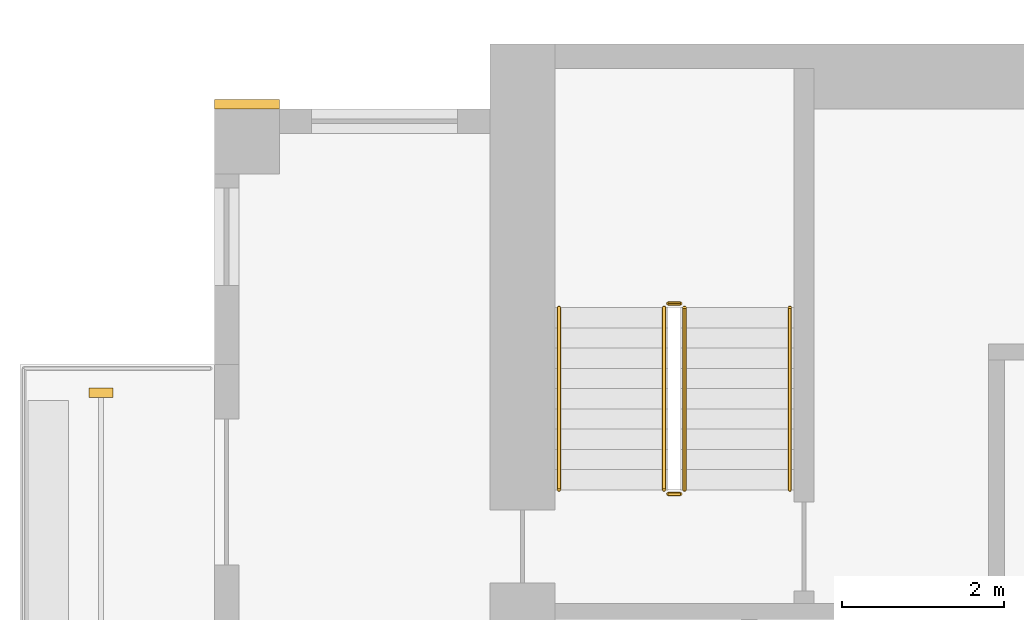
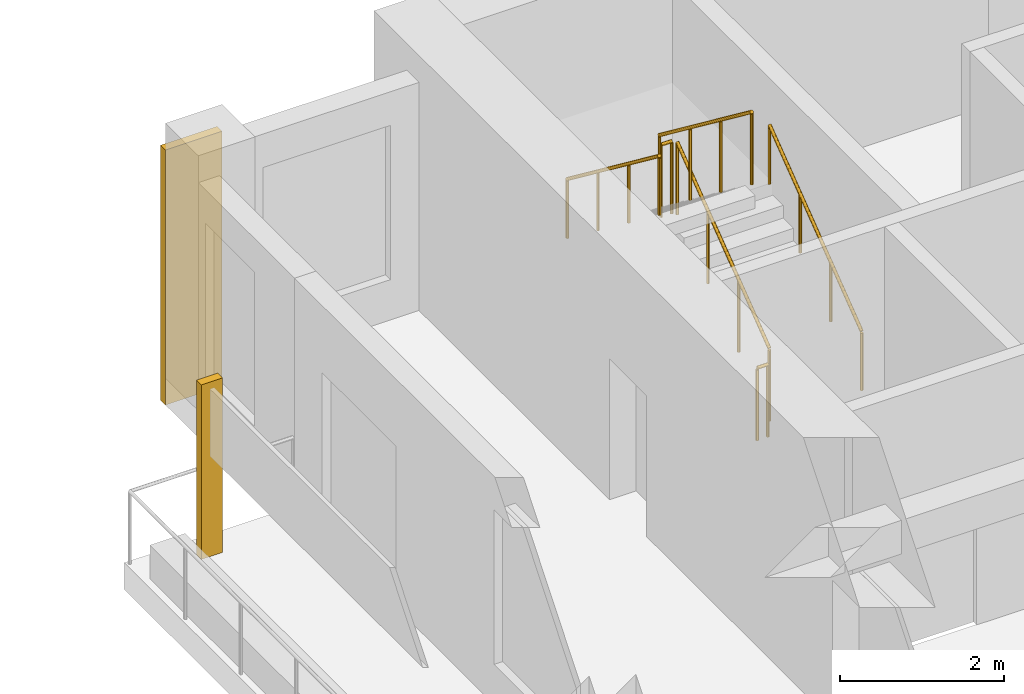
# One storey, part 10 of 12: 6 railings, 2 coverings.
"""IFC4 building model written with IfcOpenShell, lengths in metres."""

from ifc_helpers import new_model, si_unit, direction, frame, origin, origin_2d, place, context, subcontext, project, spatial, rectangle, circle, extrude, source, transform, mapped, material, type_object, element, save


model = new_model("IFC4")

# Units and contexts
model_context = context("Model", 3, precision=1e-05, world=origin(), true_north=direction((0.0, 1.0)))
body_context = subcontext(model_context, "Body", "Model", "MODEL_VIEW")
ifc_project = project(units=[si_unit("LENGTHUNIT", "METRE"), si_unit("AREAUNIT", "SQUARE_METRE"), si_unit("VOLUMEUNIT", "CUBIC_METRE"), si_unit("PLANEANGLEUNIT", "RADIAN"), si_unit("MASSUNIT", "GRAM", prefix="KILO")], contexts=[model_context])

# Site, building, storey
site_placement = place(None, origin())
site = spatial("IfcSite", under=ifc_project, at=site_placement, CompositionType="ELEMENT")
building_placement = place(site_placement, origin())
building = spatial("IfcBuilding", under=site, at=building_placement, Name="Aurelian Terraces", CompositionType="ELEMENT")
storey_placement = place(building_placement, frame((0.0, 0.0, 238.6)))
storey = spatial("IfcBuildingStorey", under=building, at=storey_placement, Name="L54", CompositionType="ELEMENT", Elevation=238.6)

# Coverings
ifc_material_1 = material(Name="Terracotta rainscreen cladding relief", Category="masonry")
covering_type_1 = type_object("IfcCoveringType", Name="FIN-TC", PredefinedType="CLADDING", material=ifc_material_1)
shared_shape_1 = source(origin(), body_context, "Body", "SweptSolid", [
    extrude(rectangle(XDim=0.3, YDim=0.12, at=origin_2d()), origin(), (0.0, 0.0, 1.0), 2.6),
])
covering_1_placement = place(storey_placement, frame((-1.4, 17.5, 0.0), z_axis=(0.0, 0.0, 1.0), x_axis=(1.0, 0.0, 0.0)))
element("IfcCovering", 1, at=covering_1_placement, inside=storey, type_object=covering_type_1, Name="FIN L54 L54-F22-38.1", PredefinedType="CLADDING", context=body_context, shape_type="MappedRepresentation", body=[
    mapped(shared_shape_1, transform((0.0, 0.0, 0.0), scale=1.0)),
])
covering_type_2 = type_object("IfcCoveringType", Name="BAGUETTE-TC", PredefinedType="CLADDING", material=ifc_material_1)
shared_shape_2 = source(origin(), body_context, "Body", "SweptSolid", [
    extrude(rectangle(XDim=0.8, YDim=0.12, at=origin_2d()), origin(), (0.0, 0.0, 1.0), 3.8),
])
covering_2_placement = place(storey_placement, frame((0.4, 21.06, -0.4), z_axis=(0.0, 0.0, 1.0), x_axis=(1.0, 0.0, 0.0)))
element("IfcCovering", 2, at=covering_2_placement, inside=storey, type_object=covering_type_2, Name="BAGUETTE pier L54 4", PredefinedType="CLADDING", context=body_context, shape_type="MappedRepresentation", body=[
    mapped(shared_shape_2, transform((0.0, 0.0, 0.0), scale=1.0)),
])

# Railings
ifc_material_2 = material(Name="Stainless steel", Category="steel")
railing_type_1 = type_object("IfcRailingType", Name="Stair guard 1100", PredefinedType="GUARDRAIL", material=ifc_material_2)
shared_shape_3 = source(origin(), body_context, "Body", "SweptSolid", [
    extrude(circle(Radius=0.024, at=origin_2d()), frame((0.0, 0.0, 1.076), z_axis=(-1.0, 0.0, 0.0), x_axis=(0.0, -1.0, 0.0)), (0.0, 0.0, 1.0), 0.15),
    extrude(circle(Radius=0.021, at=origin_2d()), origin(), (0.0, 0.0, 1.0), 1.052),
    extrude(circle(Radius=0.021, at=origin_2d()), frame((-0.15, 0.0, 0.0)), (0.0, 0.0, 1.0), 1.052),
])
for number, where, name in (
    (3, (5.75, 18.6, 1.9), "L54 S1 stair guard 2"),
    (4, (5.75, 16.25, 0.0), "L54 S1 stair guard 4"),
):
    element("IfcRailing", number, at=place(storey_placement, frame(where)), inside=storey, type_object=railing_type_1, Name=name, PredefinedType="GUARDRAIL", context=body_context, shape_type="MappedRepresentation", body=[
        mapped(shared_shape_3, transform((0.0, 0.0, 0.0), scale=1.0)),
    ])
shared_shape_4 = source(origin(), body_context, "Body", "SweptSolid", [
    extrude(circle(Radius=0.024, at=origin_2d()), frame((0.0, 0.0, 1.076), z_axis=(0.0, 0.796162194123, 0.605083267534), x_axis=(-1.0, 0.0, 0.0)), (0.0, 0.0, 1.0), 2.8261),
    extrude(circle(Radius=0.021, at=origin_2d()), origin(), (0.0, 0.0, 1.0), 1.052),
    extrude(circle(Radius=0.021, at=origin_2d()), frame((0.0, 0.75, 0.57)), (0.0, 0.0, 1.0), 1.052),
    extrude(circle(Radius=0.021, at=origin_2d()), frame((0.0, 1.5, 1.14)), (0.0, 0.0, 1.0), 1.052),
    extrude(circle(Radius=0.021, at=origin_2d()), frame((0.0, 2.25, 1.71)), (0.0, 0.0, 1.0), 1.052),
])
railing_1_placement = place(storey_placement, frame((5.8, 16.3, 0.19)))
element("IfcRailing", 5, at=railing_1_placement, inside=storey, type_object=railing_type_1, Name="L54 S1 stair guard 1", PredefinedType="GUARDRAIL", context=body_context, shape_type="MappedRepresentation", body=[
    mapped(shared_shape_4, transform((0.0, 0.0, 0.0), scale=1.0)),
])
shared_shape_5 = source(origin(), body_context, "Body", "SweptSolid", [
    extrude(circle(Radius=0.024, at=origin_2d()), frame((0.0, 0.0, 1.076), z_axis=(0.0, -0.796162194123, 0.605083267534), x_axis=(1.0, 0.0, 0.0)), (0.0, 0.0, 1.0), 2.8261),
    extrude(circle(Radius=0.021, at=origin_2d()), origin(), (0.0, 0.0, 1.0), 1.052),
    extrude(circle(Radius=0.021, at=origin_2d()), frame((0.0, -0.75, 0.57)), (0.0, 0.0, 1.0), 1.052),
    extrude(circle(Radius=0.021, at=origin_2d()), frame((0.0, -1.5, 1.14)), (0.0, 0.0, 1.0), 1.052),
    extrude(circle(Radius=0.021, at=origin_2d()), frame((0.0, -2.25, 1.71)), (0.0, 0.0, 1.0), 1.052),
])
railing_2_placement = place(storey_placement, frame((5.55, 18.55, 2.09)))
element("IfcRailing", 6, at=railing_2_placement, inside=storey, type_object=railing_type_1, Name="L54 S1 stair guard 3", PredefinedType="GUARDRAIL", context=body_context, shape_type="MappedRepresentation", body=[
    mapped(shared_shape_5, transform((0.0, 0.0, 0.0), scale=1.0)),
])
railing_type_2 = type_object("IfcRailingType", Name="Stair handrail", PredefinedType="HANDRAIL", material=ifc_material_2)
shared_shape_6 = source(origin(), body_context, "Body", "SweptSolid", [
    extrude(circle(Radius=0.024, at=origin_2d()), frame((0.0, 0.0, 0.876), z_axis=(0.0, 0.796162194123, 0.605083267534), x_axis=(-1.0, 0.0, 0.0)), (0.0, 0.0, 1.0), 2.8261),
    extrude(circle(Radius=0.021, at=origin_2d()), origin(), (0.0, 0.0, 1.0), 0.852),
    extrude(circle(Radius=0.021, at=origin_2d()), frame((0.0, 0.75, 0.57)), (0.0, 0.0, 1.0), 0.852),
    extrude(circle(Radius=0.021, at=origin_2d()), frame((0.0, 1.5, 1.14)), (0.0, 0.0, 1.0), 0.852),
    extrude(circle(Radius=0.021, at=origin_2d()), frame((0.0, 2.25, 1.71)), (0.0, 0.0, 1.0), 0.852),
])
railing_3_placement = place(storey_placement, frame((7.1, 16.3, 0.19)))
element("IfcRailing", 7, at=railing_3_placement, inside=storey, type_object=railing_type_2, Name="L54 S1 stair handrail 1", PredefinedType="HANDRAIL", context=body_context, shape_type="MappedRepresentation", body=[
    mapped(shared_shape_6, transform((0.0, 0.0, 0.0), scale=1.0)),
])
shared_shape_7 = source(origin(), body_context, "Body", "SweptSolid", [
    extrude(circle(Radius=0.024, at=origin_2d()), frame((0.0, 0.0, 0.876), z_axis=(0.0, -0.796162194123, 0.605083267534), x_axis=(1.0, 0.0, 0.0)), (0.0, 0.0, 1.0), 2.8261),
    extrude(circle(Radius=0.021, at=origin_2d()), origin(), (0.0, 0.0, 1.0), 0.852),
    extrude(circle(Radius=0.021, at=origin_2d()), frame((0.0, -0.75, 0.57)), (0.0, 0.0, 1.0), 0.852),
    extrude(circle(Radius=0.021, at=origin_2d()), frame((0.0, -1.5, 1.14)), (0.0, 0.0, 1.0), 0.852),
    extrude(circle(Radius=0.021, at=origin_2d()), frame((0.0, -2.25, 1.71)), (0.0, 0.0, 1.0), 0.852),
])
railing_4_placement = place(storey_placement, frame((4.25, 18.55, 2.09)))
element("IfcRailing", 8, at=railing_4_placement, inside=storey, type_object=railing_type_2, Name="L54 S1 stair handrail 2", PredefinedType="HANDRAIL", context=body_context, shape_type="MappedRepresentation", body=[
    mapped(shared_shape_7, transform((0.0, 0.0, 0.0), scale=1.0)),
])

save(model, "model.ifc")
